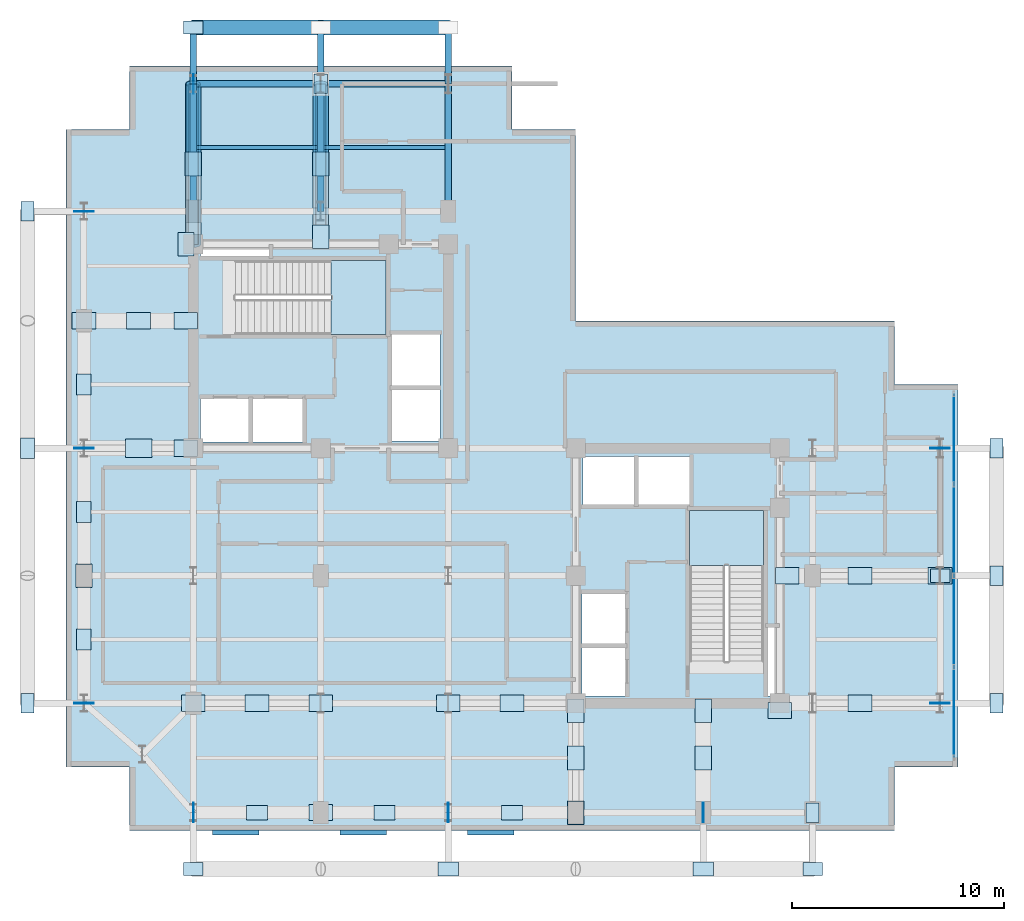
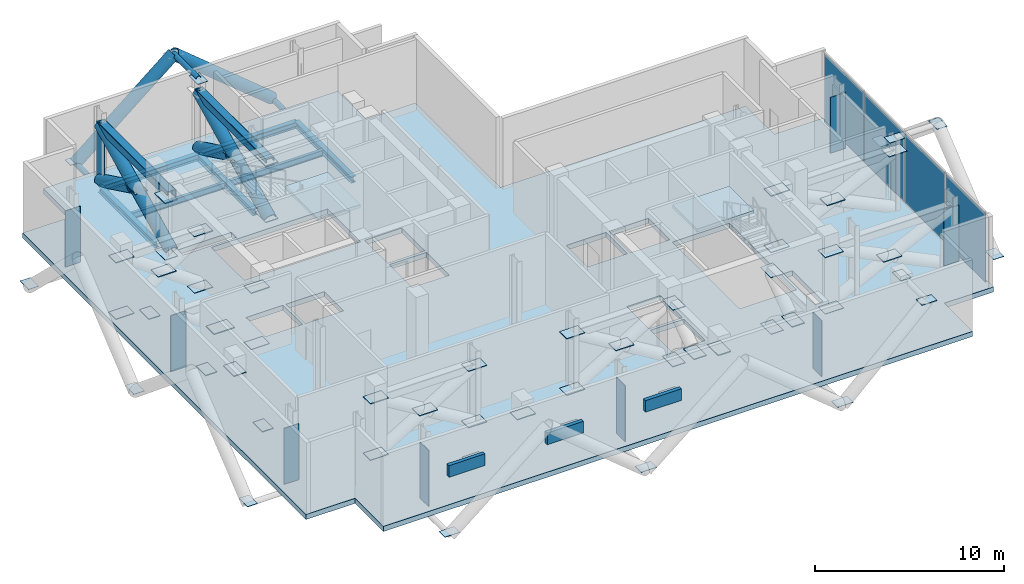
# One storey, part 4 of 8: 74 plates, 11 members, 7 beams, 3 slabs, 3 elements without a shape of their own.
"""IFC4 building model written with IfcOpenShell, lengths in metres."""

from ifc_helpers import new_model, si_unit, direction, frame, origin, origin_2d, place, context, subcontext, project, spatial, polyline, rectangle, hollow_rectangle, hollow_circle, i_section, outline, extrude, material, layer, layer_set, material_profile, profile_set, type_object, element, aggregate, save


model = new_model("IFC4")

# Units and contexts
model_context = context("Model", 3, precision=1e-05, world=origin(), true_north=direction((0.0, 1.0)))
body_context = subcontext(model_context, "Body", "Model", "MODEL_VIEW")
ifc_project = project(units=[si_unit("LENGTHUNIT", "METRE"), si_unit("AREAUNIT", "SQUARE_METRE"), si_unit("VOLUMEUNIT", "CUBIC_METRE"), si_unit("PLANEANGLEUNIT", "RADIAN"), si_unit("MASSUNIT", "GRAM", prefix="KILO"), si_unit("THERMODYNAMICTEMPERATUREUNIT", "KELVIN"), si_unit("POWERUNIT", "WATT")], contexts=[model_context])

# Site, building, storey
site_placement = place(None, origin())
site = spatial("IfcSite", under=ifc_project, at=site_placement, CompositionType="ELEMENT")
building_placement = place(site_placement, origin())
building = spatial("IfcBuilding", under=site, at=building_placement, Name="Svarakhadi Broadcast Tower", CompositionType="ELEMENT")
storey_placement = place(building_placement, frame((0.0, 0.0, 234.89990234375)))
storey = spatial("IfcBuildingStorey", under=building, at=storey_placement, Name="L58", CompositionType="ELEMENT", Elevation=234.89990234375)

# Beams
ifc_material_1 = material(Name="Steel S355J2 (IS 2062 E350C)", Category="steel")
ifc_material_profile_1 = material_profile(ifc_material_1, i_section(OverallWidth=0.179931640625, OverallDepth=0.39990234375, WebThickness=0.008544921875, FlangeThickness=0.013427734375, FilletRadius=0.02099609375, at=origin_2d()), Name="NPB 400x180x66")
ifc_profile_set_1 = profile_set([ifc_material_profile_1], Name="Steel S355J2 (IS 2062 E350C)")
beam_type_1 = type_object("IfcBeamType", Name="Beam_NPB400", PredefinedType="BEAM", material=ifc_profile_set_1)
for number, where, z_axis, x_axis, name in (
    (1, (6.159912109375, 32.14990234375, -0.52490234375), (1.0, 0.0, 0.0), (0.0, 1.0, 0.0), "L58 Secondary Composite Beam SB008"),
    (2, (12.159912109375, 32.14990234375, -0.52490234375), (1.0, 0.0, 0.0), (0.0, 1.0, 0.0), "L58 Secondary Composite Beam SB012"),
):
    element("IfcBeam", number, at=place(storey_placement, frame(where, z_axis=z_axis, x_axis=x_axis)), inside=storey, type_object=beam_type_1, Name=name, PredefinedType="BEAM", context=body_context, shape_type="SweptSolid", body=[
        extrude(i_section(OverallWidth=0.179931640625, OverallDepth=0.39990234375, WebThickness=0.008544921875, FlangeThickness=0.013427734375, FilletRadius=0.02099609375, at=origin_2d()), origin(), (0.0, 0.0, 1.0), 5.68017578125),
    ])

# Members
ifc_material_2 = material(Name="Steel S460ML (IS 2062 E450BR)", Category="steel")
ifc_material_profile_2 = material_profile(ifc_material_2, hollow_circle(Radius=0.35546875, WallThickness=0.034912109375, at=origin_2d()), Name="CHS 711x35")
ifc_profile_set_2 = profile_set([ifc_material_profile_2], Name="Steel S460ML (IS 2062 E450BR)")
member_type_1 = type_object("IfcMemberType", Name="Exo_Brace_CHS711", PredefinedType="BRACE", material=ifc_profile_set_2)
for number, where, z_axis, x_axis, name in (
    (3, (6.0, 37.800048828125, -0.48681640625), (0.771345545027, 0.0, 0.636416569683), (0.0, 1.0, 0.0), "L58 Exposed Bronze Exoskeleton Diagonal N12"),
    (4, (18.0, 37.800048828125, -0.48681640625), (-0.771345545027, 0.0, 0.636416569683), (0.0, -1.0, 0.0), "L58 Exposed Bronze Exoskeleton Diagonal N13"),
):
    element("IfcMember", number, at=place(storey_placement, frame(where, z_axis=z_axis, x_axis=x_axis)), inside=storey, type_object=member_type_1, Name=name, PredefinedType="BRACE", context=body_context, shape_type="SweptSolid", body=[
        extrude(hollow_circle(Radius=0.35546875, WallThickness=0.034912109375, at=origin_2d()), origin(), (0.0, 0.0, 1.0), 7.778564453125),
    ])
ifc_material_profile_3 = material_profile(ifc_material_2, hollow_circle(Radius=0.161865234375, WallThickness=0.01611328125, at=origin_2d()), Name="CHS 323.9x16")
ifc_profile_set_3 = profile_set([ifc_material_profile_3], Name="Steel S460ML (IS 2062 E450BR)")
member_type_2 = type_object("IfcMemberType", Name="Exo_Radial_Strut_Z2", PredefinedType="STRUT", material=ifc_profile_set_3)
for number, where, z_axis, x_axis, name in (
    (5, (6.0, 37.800048828125, -0.48681640625), (0.0, -1.0, 0.0), (1.0, 0.0, 0.0), "L58 Exoskeleton Radial Tie Strut N09"),
    (6, (18.0, 37.800048828125, -0.48681640625), (0.0, -1.0, 0.0), (1.0, 0.0, 0.0), "L58 Exoskeleton Radial Tie Strut N10"),
    (7, (12.0, 37.800048828125, 4.463623046875), (0.0, -1.0, 0.0), (1.0, 0.0, 0.0), "L58 Exoskeleton Setback Top Radial Tie N01"),
):
    element("IfcMember", number, at=place(storey_placement, frame(where, z_axis=z_axis, x_axis=x_axis)), inside=storey, type_object=member_type_2, Name=name, PredefinedType="STRUT", context=body_context, shape_type="SweptSolid", body=[
        extrude(hollow_circle(Radius=0.161865234375, WallThickness=0.01611328125, at=origin_2d()), origin(), (0.0, 0.0, 1.0), 2.650146484375),
    ])

# Beams
ifc_material_profile_4 = material_profile(ifc_material_1, i_section(OverallWidth=0.300048828125, OverallDepth=0.39990234375, WebThickness=0.013427734375, FlangeThickness=0.02392578125, FilletRadius=0.027099609375, at=origin_2d()), Name="WPB 400x300x155")
ifc_profile_set_4 = profile_set([ifc_material_profile_4], Name="Steel S355J2 (IS 2062 E350C)")
beam_type_2 = type_object("IfcBeamType", Name="Girder_WPB400", PredefinedType="USERDEFINED", material=ifc_profile_set_4)
for number, where, z_axis, x_axis, name in (
    (8, (6.0, 35.14990234375, -0.52490234375), (1.0, 0.0, 0.0), (0.0, 1.0, 0.0), "L58 Primary E-W Girder G031"),
    (9, (12.0, 35.14990234375, -0.52490234375), (1.0, 0.0, 0.0), (0.0, 1.0, 0.0), "L58 Primary E-W Girder G032"),
    (10, (6.0, 29.14990234375, -0.52490234375), (0.0, 1.0, 0.0), (-1.0, 0.0, 0.0), "L58 Primary N-S Girder G041"),
    (11, (12.0, 29.14990234375, -0.52490234375), (0.0, 1.0, 0.0), (-1.0, 0.0, 0.0), "L58 Primary N-S Girder G045"),
    (12, (18.0, 29.14990234375, -0.52490234375), (0.0, 1.0, 0.0), (-1.0, 0.0, 0.0), "L58 Primary N-S Girder G050"),
):
    element("IfcBeam", number, at=place(storey_placement, frame(where, z_axis=z_axis, x_axis=x_axis)), inside=storey, type_object=beam_type_2, Name=name, ObjectType="GIRDER", PredefinedType="USERDEFINED", context=body_context, shape_type="SweptSolid", body=[
        extrude(i_section(OverallWidth=0.300048828125, OverallDepth=0.39990234375, WebThickness=0.013427734375, FlangeThickness=0.02392578125, FilletRadius=0.027099609375, at=origin_2d()), origin(), (0.0, 0.0, 1.0), 6.0),
    ])

# Members
ifc_material_profile_5 = material_profile(ifc_material_2, hollow_circle(Radius=0.35546875, WallThickness=0.034912109375, at=origin_2d()), Name="CHS 711x35")
ifc_profile_set_5 = profile_set([ifc_material_profile_5], Name="Steel S460ML (IS 2062 E450BR)")
member_type_3 = type_object("IfcMemberType", Name="Outrigger_Brace_OT01", PredefinedType="BRACE", material=ifc_profile_set_5)
member_1_placement = place(storey_placement, frame((6.0, 27.60009765625, 0.0), z_axis=(0.0, 0.900298757438, 0.435272497816), x_axis=(-1.0, 0.0, 0.0)))
element("IfcMember", 13, at=member_1_placement, inside=storey, type_object=member_type_3, Name="L58 Core-to-Perimeter Outrigger Truss Diagonal OT-03A", PredefinedType="BRACE", context=body_context, shape_type="SweptSolid", body=[
    extrude(hollow_circle(Radius=0.35546875, WallThickness=0.034912109375, at=origin_2d()), origin(), (0.0, 0.0, 1.0), 8.385986328125),
])
member_2_placement = place(storey_placement, frame((6.0, 35.14990234375, 0.0), z_axis=(0.0, -0.900290367053, 0.435289851698), x_axis=(1.0, 0.0, 0.0)))
element("IfcMember", 14, at=member_2_placement, inside=storey, type_object=member_type_3, Name="L58 Core-to-Perimeter Outrigger Truss Diagonal OT-03B1", PredefinedType="BRACE", context=body_context, shape_type="SweptSolid", body=[
    extrude(hollow_circle(Radius=0.35546875, WallThickness=0.034912109375, at=origin_2d()), origin(), (0.0, 0.0, 1.0), 3.83740234375),
])
member_3_placement = place(storey_placement, frame((12.0, 27.60009765625, 0.0), z_axis=(0.0, 0.900298757438, 0.435272497816), x_axis=(-1.0, 0.0, 0.0)))
element("IfcMember", 15, at=member_3_placement, inside=storey, type_object=member_type_3, Name="L58 Core-to-Perimeter Outrigger Truss Diagonal OT-04A", PredefinedType="BRACE", context=body_context, shape_type="SweptSolid", body=[
    extrude(hollow_circle(Radius=0.35546875, WallThickness=0.034912109375, at=origin_2d()), origin(), (0.0, 0.0, 1.0), 8.385986328125),
])
member_4_placement = place(storey_placement, frame((12.0, 35.14990234375, 0.0), z_axis=(0.0, -0.900290367053, 0.435289851698), x_axis=(1.0, 0.0, 0.0)))
element("IfcMember", 16, at=member_4_placement, inside=storey, type_object=member_type_3, Name="L58 Core-to-Perimeter Outrigger Truss Diagonal OT-04B1", PredefinedType="BRACE", context=body_context, shape_type="SweptSolid", body=[
    extrude(hollow_circle(Radius=0.35546875, WallThickness=0.034912109375, at=origin_2d()), origin(), (0.0, 0.0, 1.0), 3.83740234375),
])
ifc_material_profile_6 = material_profile(ifc_material_2, hollow_rectangle(XDim=0.5, YDim=0.5, WallThickness=0.02490234375, InnerFilletRadius=0.02490234375, OuterFilletRadius=0.0400390625, at=origin_2d()), Name="SHS 500x500x25")
ifc_profile_set_6 = profile_set([ifc_material_profile_6], Name="Steel S460ML (IS 2062 E450BR)")
member_type_4 = type_object("IfcMemberType", Name="Outrigger_Truss_Chord", PredefinedType="CHORD", material=ifc_profile_set_6)
for number, where, z_axis, x_axis, name in (
    (17, (6.0, 27.60009765625, 3.650146484375), (0.0, 1.0, 0.0), (-1.0, 0.0, 0.0), "L58 Outrigger Truss Top Chord OC-03"),
    (18, (12.0, 27.60009765625, 3.650146484375), (0.0, 1.0, 0.0), (-1.0, 0.0, 0.0), "L58 Outrigger Truss Top Chord OC-04"),
):
    element("IfcMember", number, at=place(storey_placement, frame(where, z_axis=z_axis, x_axis=x_axis)), inside=storey, type_object=member_type_4, Name=name, PredefinedType="CHORD", context=body_context, shape_type="SweptSolid", body=[
        extrude(hollow_rectangle(XDim=0.5, YDim=0.5, WallThickness=0.02490234375, InnerFilletRadius=0.02490234375, OuterFilletRadius=0.0400390625, at=origin_2d()), origin(), (0.0, 0.0, 1.0), 7.5498046875),
    ])

# Plates
ifc_layer_1 = layer(ifc_material_2, 0.030029296875)
ifc_layer_set_1 = layer_set([ifc_layer_1], Name="Steel S460ML (IS 2062 E450BR)")
plate_type_1 = type_object("IfcPlateType", Name="Belt_Node_BN01", PredefinedType="SHEET", material=ifc_layer_set_1)
for number, where, z_axis, x_axis, name in (
    (19, (9.0, 0.85009765625, 1.81005859375), (0.0, 0.0, 1.0), (1.0, 0.0, 0.0), "L58 Belt Truss Node Gusset Plate BN-01-01"),
    (20, (15.0, 0.85009765625, 1.81005859375), (0.0, 0.0, 1.0), (1.0, 0.0, 0.0), "L58 Belt Truss Node Gusset Plate BN-01-02"),
    (21, (21.0, 0.85009765625, 1.81005859375), (0.0, 0.0, 1.0), (1.0, 0.0, 0.0), "L58 Belt Truss Node Gusset Plate BN-01-03"),
    (22, (0.85009765625, 9.0, 1.81005859375), (0.0, 0.0, 1.0), (0.0, 1.0, 0.0), "L58 Belt Truss Node Gusset Plate BN-01-04"),
    (23, (0.85009765625, 15.0, 1.81005859375), (0.0, 0.0, 1.0), (0.0, 1.0, 0.0), "L58 Belt Truss Node Gusset Plate BN-01-05"),
    (24, (0.85009765625, 21.0, 1.81005859375), (0.0, 0.0, 1.0), (0.0, 1.0, 0.0), "L58 Belt Truss Node Gusset Plate BN-01-06"),
):
    element("IfcPlate", number, at=place(storey_placement, frame(where, z_axis=z_axis, x_axis=x_axis)), inside=storey, type_object=plate_type_1, Name=name, PredefinedType="SHEET", context=body_context, shape_type="SweptSolid", body=[
        extrude(rectangle(XDim=1.0, YDim=0.679931640625, at=origin_2d()), origin(), (0.0, 0.0, 1.0), 0.030029296875),
    ])

# Curtain wall, plates
ifc_material_3 = material(Name="Anodised Bronze Aluminium AA 6063-T6", Category="aluminium")
ifc_layer_2 = layer(ifc_material_3, 0.260009765625)
ifc_layer_set_2 = layer_set([ifc_layer_2], Name="Anodised Bronze Aluminium AA 6063-T6")
curtain_wall_type = type_object("IfcCurtainWallType", Name="CW_Sys_07", PredefinedType="NOTDEFINED", material=ifc_layer_set_2)
curtain_wall_placement = place(storey_placement, origin())
curtain_wall = element("IfcCurtainWall", 25, at=curtain_wall_placement, inside=storey, type_object=curtain_wall_type, Name="L58 East Plant Daylighting Curtain Wall CW-07", PredefinedType="NOTDEFINED")
ifc_material_4 = material(Name="Triple Laminated Solar-Control Crown Glass 42 mm", Category="glass")
ifc_layer_3 = layer(ifc_material_4, 0.0419921875)
ifc_layer_set_3 = layer_set([ifc_layer_3], Name="Triple Laminated Solar-Control Crown Glass 42 mm")
plate_type_2 = type_object("IfcPlateType", Name="CW_Sys_07_Pnl", PredefinedType="CURTAIN_PANEL", material=ifc_layer_set_3)
plate_1_placement = place(storey_placement, frame((41.800048828125, 18.43505859375, 0.090087890625), z_axis=(0.0, 0.0, 1.0), x_axis=(0.0, -1.0, 0.0)))
plate_1 = element("IfcPlate", 26, at=plate_1_placement, type_object=plate_type_2, Name="CW-07 panel 1.1", PredefinedType="CURTAIN_PANEL", context=body_context, shape_type="SweptSolid", body=[
    extrude(rectangle(XDim=4.169921875, YDim=0.0419921875, at=origin_2d()), origin(), (0.0, 0.0, 1.0), 4.419921875),
])
plate_2_placement = place(storey_placement, frame((41.800048828125, 14.152587890625, 0.090087890625), z_axis=(0.0, 0.0, 1.0), x_axis=(0.0, -1.0, 0.0)))
plate_2 = element("IfcPlate", 27, at=plate_2_placement, type_object=plate_type_2, Name="CW-07 panel 2.1", PredefinedType="CURTAIN_PANEL", context=body_context, shape_type="SweptSolid", body=[
    extrude(rectangle(XDim=4.215087890625, YDim=0.0419921875, at=origin_2d()), origin(), (0.0, 0.0, 1.0), 4.419921875),
])
plate_3_placement = place(storey_placement, frame((41.800048828125, 9.847412109375, 0.090087890625), z_axis=(0.0, 0.0, 1.0), x_axis=(0.0, -1.0, 0.0)))
plate_3 = element("IfcPlate", 28, at=plate_3_placement, type_object=plate_type_2, Name="CW-07 panel 3.1", PredefinedType="CURTAIN_PANEL", context=body_context, shape_type="SweptSolid", body=[
    extrude(rectangle(XDim=4.215087890625, YDim=0.0419921875, at=origin_2d()), origin(), (0.0, 0.0, 1.0), 4.419921875),
])
plate_4_placement = place(storey_placement, frame((41.800048828125, 5.56494140625, 0.090087890625), z_axis=(0.0, 0.0, 1.0), x_axis=(0.0, -1.0, 0.0)))
plate_4 = element("IfcPlate", 29, at=plate_4_placement, type_object=plate_type_2, Name="CW-07 panel 4.1", PredefinedType="CURTAIN_PANEL", context=body_context, shape_type="SweptSolid", body=[
    extrude(rectangle(XDim=4.169921875, YDim=0.0419921875, at=origin_2d()), origin(), (0.0, 0.0, 1.0), 4.419921875),
])
aggregate(curtain_wall, [plate_1, plate_2, plate_3, plate_4])

# Plates
ifc_layer_4 = layer(ifc_material_3, 0.75)
ifc_layer_set_4 = layer_set([ifc_layer_4], Name="Anodised Bronze Aluminium AA 6063-T6")
plate_type_3 = type_object("IfcPlateType", Name="Louvre_Bronze_LV02", PredefinedType="USERDEFINED", material=ifc_layer_set_4)
for number, where, z_axis, x_axis, name in (
    (30, (8.0, -0.080078125, 1.925048828125), (0.0, 0.0, 1.0), (1.0, 0.0, 0.0), "L58 Acoustic Monsoon Intake Louvre LV-02-1"),
    (31, (14.0, -0.080078125, 1.925048828125), (0.0, 0.0, 1.0), (1.0, 0.0, 0.0), "L58 Acoustic Monsoon Intake Louvre LV-02-2"),
    (32, (20.0, -0.080078125, 1.925048828125), (0.0, 0.0, 1.0), (1.0, 0.0, 0.0), "L58 Acoustic Monsoon Intake Louvre LV-02-3"),
):
    element("IfcPlate", number, at=place(storey_placement, frame(where, z_axis=z_axis, x_axis=x_axis)), inside=storey, type_object=plate_type_3, Name=name, ObjectType="LOUVRE", PredefinedType="USERDEFINED", context=body_context, shape_type="SweptSolid", body=[
        extrude(rectangle(XDim=2.199951171875, YDim=0.219970703125, at=origin_2d()), origin(), (0.0, 0.0, 1.0), 0.75),
    ])
ifc_layer_5 = layer(ifc_material_2, 0.028076171875)
ifc_layer_set_5 = layer_set([ifc_layer_5], Name="Steel S460ML (IS 2062 E450BR)")
plate_type_4 = type_object("IfcPlateType", Name="Node_Gusset_N03", PredefinedType="SHEET", material=ifc_layer_set_5)
for number, where, z_axis, x_axis, name in (
    (33, (18.0, -1.800048828125, -0.32470703125), (0.0, 0.0, 1.0), (1.0, 0.0, 0.0), "L58 Exoskeleton Gusset Node Plate S02"),
    (34, (30.0, -1.800048828125, -0.32470703125), (0.0, 0.0, 1.0), (1.0, 0.0, 0.0), "L58 Exoskeleton Gusset Node Plate S03"),
    (35, (-1.800048828125, 18.0, -0.32470703125), (0.0, 0.0, 1.0), (0.0, 1.0, 0.0), "L58 Exoskeleton Gusset Node Plate W05"),
):
    element("IfcPlate", number, at=place(storey_placement, frame(where, z_axis=z_axis, x_axis=x_axis)), inside=storey, type_object=plate_type_4, Name=name, PredefinedType="SHEET", context=body_context, shape_type="SweptSolid", body=[
        extrude(rectangle(XDim=0.9599609375, YDim=0.659912109375, at=origin_2d()), origin(), (0.0, 0.0, 1.0), 0.028076171875),
    ])
ifc_layer_6 = layer(ifc_material_2, 0.0400390625)
ifc_layer_set_6 = layer_set([ifc_layer_6], Name="Steel S460ML (IS 2062 E450BR)")
plate_type_5 = type_object("IfcPlateType", Name="Node_Gusset_N04", PredefinedType="SHEET", material=ifc_layer_set_6)
plate_5_placement = place(storey_placement, frame((3.425048828125, 18.0, 1.80517578125), z_axis=(0.0, 0.0, 1.0), x_axis=(1.0, 0.0, 0.0)))
element("IfcPlate", 36, at=plate_5_placement, inside=storey, type_object=plate_type_5, Name="L58 Outrigger Truss Crossing Gusset Plate N-04-01", PredefinedType="SHEET", context=body_context, shape_type="SweptSolid", body=[
    extrude(rectangle(XDim=1.25, YDim=0.85009765625, at=origin_2d()), origin(), (0.0, 0.0, 1.0), 0.0400390625),
])
ifc_layer_7 = layer(ifc_material_2, 0.02587890625)
ifc_layer_set_7 = layer_set([ifc_layer_7], Name="Steel S460ML (IS 2062 E450BR)")
plate_type_6 = type_object("IfcPlateType", Name="Node_Gusset_N07", PredefinedType="SHEET", material=ifc_layer_set_7)
for number, where, z_axis, x_axis, name in (
    (37, (6.0, -1.800048828125, -0.324951171875), (0.0, 0.0, 1.0), (1.0, 0.0, 0.0), "L58 Exoskeleton Gusset Node Plate S01"),
    (38, (-1.800048828125, 6.0, -0.324951171875), (0.0, 0.0, 1.0), (0.0, 1.0, 0.0), "L58 Exoskeleton Gusset Node Plate W04"),
    (39, (-1.800048828125, 29.14990234375, -0.324951171875), (0.0, 0.0, 1.0), (0.0, 1.0, 0.0), "L58 Exoskeleton Gusset Node Plate W06"),
    (40, (43.800048828125, 6.0, -0.324951171875), (0.0, 0.0, 1.0), (0.0, 1.0, 0.0), "L58 Exoskeleton Gusset Node Plate E07"),
    (41, (43.800048828125, 18.0, -0.324951171875), (0.0, 0.0, 1.0), (0.0, 1.0, 0.0), "L58 Exoskeleton Gusset Node Plate E08"),
    (42, (6.0, 37.800048828125, -0.324951171875), (0.0, 0.0, 1.0), (1.0, 0.0, 0.0), "L58 Exoskeleton Gusset Node Plate N09"),
):
    element("IfcPlate", number, at=place(storey_placement, frame(where, z_axis=z_axis, x_axis=x_axis)), inside=storey, type_object=plate_type_6, Name=name, PredefinedType="SHEET", context=body_context, shape_type="SweptSolid", body=[
        extrude(rectangle(XDim=0.919921875, YDim=0.6201171875, at=origin_2d()), origin(), (0.0, 0.0, 1.0), 0.02587890625),
    ])
for number, where, z_axis, x_axis, name in (
    (43, (6.0, 0.85009765625, -0.68701171875), (0.0, 0.0, 1.0), (0.0, 1.0, 0.0), "L58 Brace End Connection Gusset Plate N-07-E0469"),
    (44, (18.0, 0.85009765625, -0.68701171875), (0.0, 0.0, 1.0), (0.0, 1.0, 0.0), "L58 Brace End Connection Gusset Plate N-07-E0470"),
    (45, (30.0, 0.85009765625, -0.68701171875), (0.0, 0.0, 1.0), (0.0, 1.0, 0.0), "L58 Brace End Connection Gusset Plate N-07-E0471"),
):
    element("IfcPlate", number, at=place(storey_placement, frame(where, z_axis=z_axis, x_axis=x_axis)), inside=storey, type_object=plate_type_6, Name=name, PredefinedType="SHEET", context=body_context, shape_type="SweptSolid", body=[
        extrude(rectangle(XDim=0.919921875, YDim=0.02587890625, at=origin_2d()), origin(), (0.0, 0.0, 1.0), 4.300048828125),
    ])
for number, where, z_axis, x_axis, name in (
    (46, (35.14990234375, -1.800048828125, 4.45068359375), (0.0, 0.0, 1.0), (1.0, 0.0, 0.0), "L58 Brace End Connection Gusset Plate N-07-E0472"),
    (47, (35.14990234375, 0.85009765625, 4.45068359375), (0.0, 0.0, 1.0), (0.0, 1.0, 0.0), "L58 Brace End Connection Gusset Plate N-07-E0473"),
):
    element("IfcPlate", number, at=place(storey_placement, frame(where, z_axis=z_axis, x_axis=x_axis)), inside=storey, type_object=plate_type_6, Name=name, PredefinedType="SHEET", context=body_context, shape_type="SweptSolid", body=[
        extrude(rectangle(XDim=0.919921875, YDim=0.6201171875, at=origin_2d()), origin(), (0.0, 0.0, 1.0), 0.02587890625),
    ])
for number, where, z_axis, x_axis, name in (
    (48, (0.85009765625, 6.0, -0.68701171875), (0.0, 0.0, 1.0), (1.0, 0.0, 0.0), "L58 Brace End Connection Gusset Plate N-07-E0474"),
    (49, (0.85009765625, 18.0, -0.68701171875), (0.0, 0.0, 1.0), (1.0, 0.0, 0.0), "L58 Brace End Connection Gusset Plate N-07-E0475"),
    (50, (0.85009765625, 29.14990234375, -0.68701171875), (0.0, 0.0, 1.0), (1.0, 0.0, 0.0), "L58 Brace End Connection Gusset Plate N-07-E0476"),
    (51, (41.14990234375, 6.0, -0.68701171875), (0.0, 0.0, 1.0), (1.0, 0.0, 0.0), "L58 Brace End Connection Gusset Plate N-07-E0477"),
    (52, (41.14990234375, 18.0, -0.68701171875), (0.0, 0.0, 1.0), (1.0, 0.0, 0.0), "L58 Brace End Connection Gusset Plate N-07-E0478"),
):
    element("IfcPlate", number, at=place(storey_placement, frame(where, z_axis=z_axis, x_axis=x_axis)), inside=storey, type_object=plate_type_6, Name=name, PredefinedType="SHEET", context=body_context, shape_type="SweptSolid", body=[
        extrude(rectangle(XDim=0.919921875, YDim=0.02587890625, at=origin_2d()), origin(), (0.0, 0.0, 1.0), 4.300048828125),
    ])
for number, where, z_axis, x_axis, name in (
    (53, (43.800048828125, 12.0, 4.45068359375), (0.0, 0.0, 1.0), (0.0, 1.0, 0.0), "L58 Brace End Connection Gusset Plate N-07-E0479"),
    (54, (41.14990234375, 12.0, 4.45068359375), (0.0, 0.0, 1.0), (1.0, 0.0, 0.0), "L58 Brace End Connection Gusset Plate N-07-E0480"),
):
    element("IfcPlate", number, at=place(storey_placement, frame(where, z_axis=z_axis, x_axis=x_axis)), inside=storey, type_object=plate_type_6, Name=name, PredefinedType="SHEET", context=body_context, shape_type="SweptSolid", body=[
        extrude(rectangle(XDim=0.919921875, YDim=0.6201171875, at=origin_2d()), origin(), (0.0, 0.0, 1.0), 0.02587890625),
    ])
plate_6_placement = place(storey_placement, frame((6.0, 35.14990234375, -0.68701171875), z_axis=(0.0, 0.0, 1.0), x_axis=(0.0, 1.0, 0.0)))
element("IfcPlate", 55, at=plate_6_placement, inside=storey, type_object=plate_type_6, Name="L58 Brace End Connection Gusset Plate N-07-E0481", PredefinedType="SHEET", context=body_context, shape_type="SweptSolid", body=[
    extrude(rectangle(XDim=0.919921875, YDim=0.02587890625, at=origin_2d()), origin(), (0.0, 0.0, 1.0), 4.300048828125),
])
plate_7_placement = place(storey_placement, frame((12.0, 35.14990234375, 4.45068359375), z_axis=(0.0, 0.0, 1.0), x_axis=(0.0, 1.0, 0.0)))
element("IfcPlate", 56, at=plate_7_placement, inside=storey, type_object=plate_type_6, Name="L58 Brace End Connection Gusset Plate N-07-E0484", PredefinedType="SHEET", context=body_context, shape_type="SweptSolid", body=[
    extrude(rectangle(XDim=0.919921875, YDim=0.6201171875, at=origin_2d()), origin(), (0.0, 0.0, 1.0), 0.02587890625),
])
ifc_layer_8 = layer(ifc_material_2, 0.034912109375)
ifc_layer_set_8 = layer_set([ifc_layer_8], Name="Steel S460ML (IS 2062 E450BR)")
plate_type_7 = type_object("IfcPlateType", Name="Outrigger_Node_ON03", PredefinedType="SHEET", material=ifc_layer_set_8)
for number, where, z_axis, x_axis, name in (
    (57, (3.425048828125, 24.0, 1.8076171875), (0.0, 0.0, 1.0), (1.0, 0.0, 0.0), "L58 Outrigger Truss Crossing Gusset Plate ON-03-02"),
    (58, (6.0, 31.375, 1.8076171875), (0.0, 0.0, 1.0), (0.0, 1.0, 0.0), "L58 Outrigger Truss Crossing Gusset Plate ON-03-03"),
    (59, (12.0, 31.375, 1.8076171875), (0.0, 0.0, 1.0), (0.0, 1.0, 0.0), "L58 Outrigger Truss Crossing Gusset Plate ON-03-04"),
    (60, (24.0, 3.425048828125, 1.8076171875), (0.0, 0.0, 1.0), (0.0, 1.0, 0.0), "L58 Outrigger Truss Crossing Gusset Plate ON-03-05"),
    (61, (30.0, 3.425048828125, 1.8076171875), (0.0, 0.0, 1.0), (0.0, 1.0, 0.0), "L58 Outrigger Truss Crossing Gusset Plate ON-03-06"),
    (62, (37.375, 6.0, 1.8076171875), (0.0, 0.0, 1.0), (1.0, 0.0, 0.0), "L58 Outrigger Truss Crossing Gusset Plate ON-03-07"),
    (63, (37.375, 12.0, 1.8076171875), (0.0, 0.0, 1.0), (1.0, 0.0, 0.0), "L58 Outrigger Truss Crossing Gusset Plate ON-03-08"),
    (64, (21.0, 6.0, 1.8076171875), (0.0, 0.0, 1.0), (1.0, 0.0, 0.0), "L58 Outrigger Truss Crossing Gusset Plate ON-03-09"),
    (65, (9.0, 6.0, 1.8076171875), (0.0, 0.0, 1.0), (1.0, 0.0, 0.0), "L58 Outrigger Truss Crossing Gusset Plate ON-03-10"),
    (66, (5.64990234375, 18.0, -0.017578125), (0.0, 0.0, 1.0), (1.0, 0.0, 0.0), "L58 Brace End Connection Gusset Plate ON-03-E0679"),
    (67, (5.64990234375, 18.0, 3.6328125), (0.0, 0.0, 1.0), (1.0, 0.0, 0.0), "L58 Brace End Connection Gusset Plate ON-03-E0680"),
    (68, (5.64990234375, 24.0, -0.017578125), (0.0, 0.0, 1.0), (1.0, 0.0, 0.0), "L58 Brace End Connection Gusset Plate ON-03-E0681"),
    (69, (0.85009765625, 24.0, 3.6328125), (0.0, 0.0, 1.0), (1.0, 0.0, 0.0), "L58 Brace End Connection Gusset Plate ON-03-E0682"),
    (70, (0.85009765625, 24.0, -0.017578125), (0.0, 0.0, 1.0), (1.0, 0.0, 0.0), "L58 Brace End Connection Gusset Plate ON-03-E0683"),
    (71, (5.64990234375, 24.0, 3.6328125), (0.0, 0.0, 1.0), (1.0, 0.0, 0.0), "L58 Brace End Connection Gusset Plate ON-03-E0684"),
    (72, (5.64990234375, 27.60009765625, -0.017578125), (0.0, 0.0, 1.0), (0.0, 1.0, 0.0), "L58 Brace End Connection Gusset Plate ON-03-E0685"),
    (73, (5.64990234375, 27.60009765625, 3.6328125), (0.0, 0.0, 1.0), (0.0, 1.0, 0.0), "L58 Brace End Connection Gusset Plate ON-03-E0686"),
    (74, (12.0, 27.949951171875, -0.017578125), (0.0, 0.0, 1.0), (0.0, 1.0, 0.0), "L58 Brace End Connection Gusset Plate ON-03-E0687"),
    (75, (12.0, 27.949951171875, 3.6328125), (0.0, 0.0, 1.0), (0.0, 1.0, 0.0), "L58 Brace End Connection Gusset Plate ON-03-E0689"),
    (76, (24.0, 5.64990234375, -0.017578125), (0.0, 0.0, 1.0), (0.0, 1.0, 0.0), "L58 Brace End Connection Gusset Plate ON-03-E0690"),
    (77, (24.0, 0.85009765625, 3.6328125), (0.0, 0.0, 1.0), (0.0, 1.0, 0.0), "L58 Brace End Connection Gusset Plate ON-03-E0691"),
    (78, (24.0, 5.64990234375, 3.6328125), (0.0, 0.0, 1.0), (0.0, 1.0, 0.0), "L58 Brace End Connection Gusset Plate ON-03-E0692"),
    (79, (30.0, 5.64990234375, -0.017578125), (0.0, 0.0, 1.0), (0.0, 1.0, 0.0), "L58 Brace End Connection Gusset Plate ON-03-E0693"),
    (80, (30.0, 5.64990234375, 3.6328125), (0.0, 0.0, 1.0), (0.0, 1.0, 0.0), "L58 Brace End Connection Gusset Plate ON-03-E0694"),
    (81, (33.60009765625, 5.64990234375, -0.017578125), (0.0, 0.0, 1.0), (1.0, 0.0, 0.0), "L58 Brace End Connection Gusset Plate ON-03-E0695"),
    (82, (33.60009765625, 5.64990234375, 3.6328125), (0.0, 0.0, 1.0), (1.0, 0.0, 0.0), "L58 Brace End Connection Gusset Plate ON-03-E0696"),
    (83, (33.949951171875, 12.0, -0.017578125), (0.0, 0.0, 1.0), (1.0, 0.0, 0.0), "L58 Brace End Connection Gusset Plate ON-03-E0697"),
    (84, (41.14990234375, 12.0, 3.6328125), (0.0, 0.0, 1.0), (1.0, 0.0, 0.0), "L58 Brace End Connection Gusset Plate ON-03-E0698"),
    (85, (33.949951171875, 12.0, 3.6328125), (0.0, 0.0, 1.0), (1.0, 0.0, 0.0), "L58 Brace End Connection Gusset Plate ON-03-E0699"),
    (86, (18.0, 6.0, -0.017578125), (0.0, 0.0, 1.0), (1.0, 0.0, 0.0), "L58 Brace End Connection Gusset Plate ON-03-E0700"),
    (87, (18.0, 6.0, 3.6328125), (0.0, 0.0, 1.0), (1.0, 0.0, 0.0), "L58 Brace End Connection Gusset Plate ON-03-E0701"),
    (88, (6.0, 6.0, -0.017578125), (0.0, 0.0, 1.0), (1.0, 0.0, 0.0), "L58 Brace End Connection Gusset Plate ON-03-E0702"),
    (89, (12.0, 6.0, 3.6328125), (0.0, 0.0, 1.0), (1.0, 0.0, 0.0), "L58 Brace End Connection Gusset Plate ON-03-E0703"),
    (90, (12.0, 6.0, -0.017578125), (0.0, 0.0, 1.0), (1.0, 0.0, 0.0), "L58 Brace End Connection Gusset Plate ON-03-E0704"),
    (91, (6.0, 6.0, 3.6328125), (0.0, 0.0, 1.0), (1.0, 0.0, 0.0), "L58 Brace End Connection Gusset Plate ON-03-E0705"),
    (92, (12.0, 0.85009765625, 3.6328125), (0.0, 0.0, 1.0), (1.0, 0.0, 0.0), "L58 Brace End Connection Gusset Plate ON-03-E0706"),
    (93, (0.85009765625, 12.0, 3.6328125), (0.0, 0.0, 1.0), (0.0, 1.0, 0.0), "L58 Brace End Connection Gusset Plate ON-03-E0707"),
):
    element("IfcPlate", number, at=place(storey_placement, frame(where, z_axis=z_axis, x_axis=x_axis)), inside=storey, type_object=plate_type_7, Name=name, PredefinedType="SHEET", context=body_context, shape_type="SweptSolid", body=[
        extrude(rectangle(XDim=1.1201171875, YDim=0.760009765625, at=origin_2d()), origin(), (0.0, 0.0, 1.0), 0.034912109375),
    ])

# Slab
ifc_material_5 = material(Name="Concrete C50/60 (IS 456 M60)", Category="concrete")
ifc_layer_9 = layer(ifc_material_5, 0.324951171875)
ifc_layer_set_9 = layer_set([ifc_layer_9], Name="Concrete C50/60 (IS 456 M60)")
slab_type_1 = type_object("IfcSlabType", Name="Slab_Floor_325", PredefinedType="FLOOR", material=ifc_layer_set_9)
slab_1_placement = place(storey_placement, frame((0.0, 0.0, -0.324951171875)))
element("IfcSlab", 94, at=slab_1_placement, inside=storey, type_object=slab_type_1, Name="L58 Structural Floor Slab", PredefinedType="FLOOR", context=body_context, shape_type="SweptSolid", body=[
    extrude(outline(polyline([(3.0, 0.0), (39.0, 0.0), (39.0, 3.0), (42.0, 3.0), (42.0, 21.0), (39.0, 21.0), (39.0, 24.0), (24.0, 24.0), (24.0, 33.0), (21.0, 33.0), (21.0, 36.0), (3.0, 36.0), (3.0, 33.0), (0.0, 33.0), (0.0, 3.0), (3.0, 3.0), (3.0, 0.0)]), holes=[polyline([(7.97998046875, 23.360107421875), (15.080078125, 23.360107421875), (15.080078125, 26.840087890625), (7.97998046875, 26.840087890625), (7.97998046875, 23.360107421875)]), polyline([(32.840087890625, 7.97998046875), (32.840087890625, 15.080078125), (29.360107421875, 15.080078125), (29.360107421875, 7.97998046875), (32.840087890625, 7.97998046875)]), polyline([(6.340087890625, 18.2900390625), (8.610107421875, 18.2900390625), (8.610107421875, 20.330078125), (6.340087890625, 20.330078125), (6.340087890625, 18.2900390625)]), polyline([(8.7900390625, 18.2900390625), (11.1298828125, 18.2900390625), (11.1298828125, 20.330078125), (8.7900390625, 20.330078125), (8.7900390625, 18.2900390625)]), polyline([(24.2900390625, 6.340087890625), (26.330078125, 6.340087890625), (26.330078125, 8.610107421875), (24.2900390625, 8.610107421875), (24.2900390625, 6.340087890625)]), polyline([(24.2900390625, 8.7900390625), (26.330078125, 8.7900390625), (26.330078125, 11.1298828125), (24.2900390625, 11.1298828125), (24.2900390625, 8.7900390625)]), polyline([(6.340087890625, 26.989990234375), (9.610107421875, 26.989990234375), (9.610107421875, 27.530029296875), (6.340087890625, 27.530029296875), (6.340087890625, 26.989990234375)]), polyline([(32.989990234375, 6.340087890625), (33.530029296875, 6.340087890625), (33.530029296875, 9.610107421875), (32.989990234375, 9.610107421875), (32.989990234375, 6.340087890625)]), polyline([(15.340087890625, 18.340087890625), (17.610107421875, 18.340087890625), (17.610107421875, 20.760009765625), (15.340087890625, 20.760009765625), (15.340087890625, 18.340087890625)]), polyline([(15.340087890625, 20.93994140625), (17.610107421875, 20.93994140625), (17.610107421875, 23.360107421875), (15.340087890625, 23.360107421875), (15.340087890625, 20.93994140625)]), polyline([(24.340087890625, 15.340087890625), (26.760009765625, 15.340087890625), (26.760009765625, 17.610107421875), (24.340087890625, 17.610107421875), (24.340087890625, 15.340087890625)]), polyline([(26.93994140625, 15.340087890625), (29.360107421875, 15.340087890625), (29.360107421875, 17.610107421875), (26.93994140625, 17.610107421875), (26.93994140625, 15.340087890625)])]), origin(), (0.0, 0.0, 1.0), 0.324951171875),
])

# Stair, slab
ifc_material_6 = material(Name="Concrete C40/50 (IS 456 M50)", Category="concrete")
stair_type = type_object("IfcStairType", Name="Stair_Exit_Core", PredefinedType="HALF_TURN_STAIR", material=ifc_material_6)
stair_1_placement = place(storey_placement, origin())
stair_1 = element("IfcStair", 95, at=stair_1_placement, inside=storey, type_object=stair_type, Name="L58 West Core Protected Exit Stair ST-01", PredefinedType="HALF_TURN_STAIR")
ifc_layer_10 = layer(ifc_material_6, 0.199951171875)
ifc_layer_set_10 = layer_set([ifc_layer_10], Name="Concrete C40/50 (IS 456 M50)")
slab_type_2 = type_object("IfcSlabType", Name="Slab_Stair_Land", PredefinedType="LANDING", material=ifc_layer_set_10)
slab_2_placement = place(storey_placement, frame((0.0, 0.0, 2.2001953125)))
slab_2 = element("IfcSlab", 96, at=slab_2_placement, type_object=slab_type_2, Name="ST-01 landing 1", PredefinedType="LANDING", context=body_context, shape_type="SweptSolid", body=[
    extrude(outline(polyline([(12.47998046875, 23.360107421875), (15.080078125, 23.360107421875), (15.080078125, 26.840087890625), (12.47998046875, 26.840087890625), (12.47998046875, 23.360107421875)])), origin(), (0.0, 0.0, 1.0), 0.199951171875),
])
aggregate(stair_1, [slab_2])

stair_2_placement = place(storey_placement, origin())
stair_2 = element("IfcStair", 97, at=stair_2_placement, inside=storey, type_object=stair_type, Name="L58 East Core Protected Exit Stair ST-02", PredefinedType="HALF_TURN_STAIR")
slab_3_placement = place(storey_placement, frame((0.0, 0.0, 2.2001953125)))
slab_3 = element("IfcSlab", 98, at=slab_3_placement, type_object=slab_type_2, Name="ST-02 landing 1", PredefinedType="LANDING", context=body_context, shape_type="SweptSolid", body=[
    extrude(outline(polyline([(32.840087890625, 12.47998046875), (32.840087890625, 15.080078125), (29.360107421875, 15.080078125), (29.360107421875, 12.47998046875), (32.840087890625, 12.47998046875)])), origin(), (0.0, 0.0, 1.0), 0.199951171875),
])
aggregate(stair_2, [slab_3])

save(model, "model.ifc")
